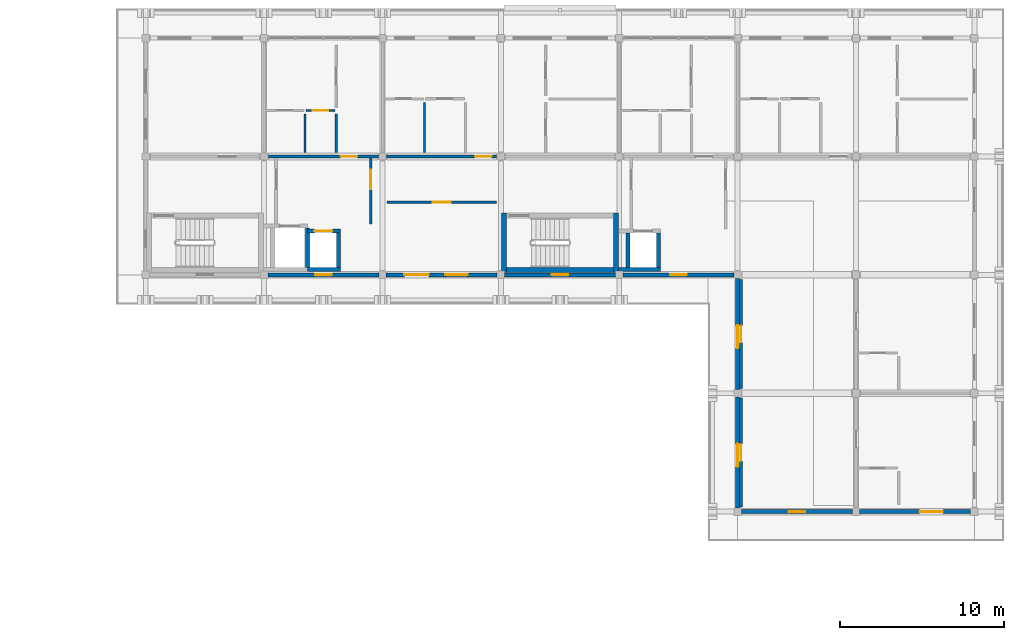
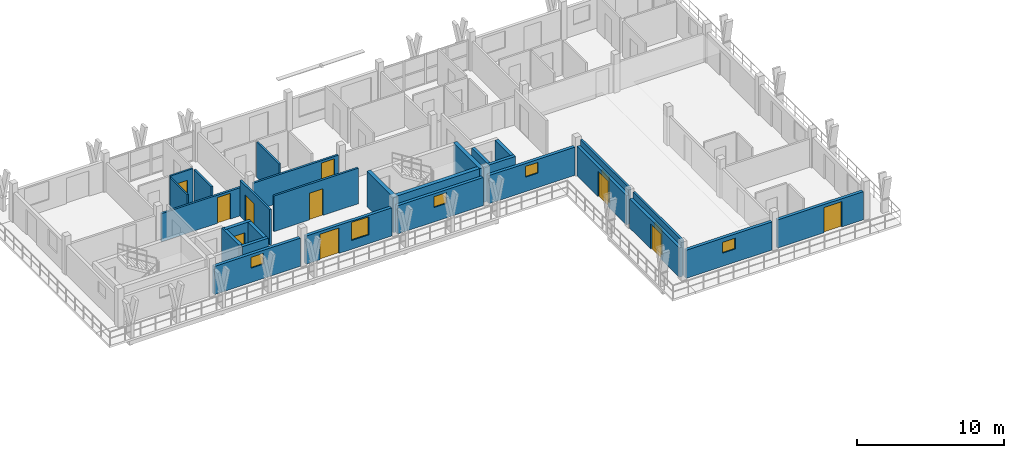
# One storey, part 40 of 56: 28 walls, 12 doors, 5 windows, 17 openings.
"""IFC4 building model written with IfcOpenShell, lengths in metres."""

from ifc_helpers import new_model, si_unit, direction, frame, frame_2d, origin, place, context, subcontext, project, spatial, rectangle, extrude, material, layer, layer_set, type_object, element, fill, save


model = new_model("IFC4")

# Units and contexts
model_context = context("Model", 3, precision=1e-05, world=origin(), true_north=direction((0.0, 1.0)))
body_context = subcontext(model_context, "Body", "Model", "MODEL_VIEW")
ifc_project = project(units=[si_unit("LENGTHUNIT", "METRE"), si_unit("AREAUNIT", "SQUARE_METRE"), si_unit("VOLUMEUNIT", "CUBIC_METRE"), si_unit("PLANEANGLEUNIT", "RADIAN"), si_unit("MASSUNIT", "GRAM", prefix="KILO")], contexts=[model_context])

# Site, building, storey
site_placement = place(None, origin())
site = spatial("IfcSite", under=ifc_project, at=site_placement, CompositionType="ELEMENT")
building_placement = place(site_placement, origin())
building = spatial("IfcBuilding", under=site, at=building_placement, Name="Suanplinth Sawtooth Commons", CompositionType="ELEMENT")
storey_placement = place(building_placement, frame((0.0, 0.0, 34.800048828125)))
storey = spatial("IfcBuildingStorey", under=building, at=storey_placement, Name="L10", CompositionType="ELEMENT", Elevation=34.800048828125)

# Walls
ifc_material_1 = material(Name="Concrete C40/50", Category="concrete")
ifc_layer_1 = layer(ifc_material_1, 0.300048828125, Name="Standard RC stair and lift core wall 300mm")
ifc_layer_set_1 = layer_set([ifc_layer_1], Name="Concrete C40/50")
wall_type_1 = type_object("IfcWallType", Name="W-CR02", PredefinedType="SHEAR", material=ifc_layer_set_1)
wall_1_placement = place(storey_placement, frame((158.75, 108.300048828125, 0.0), z_axis=(0.0, 0.0, 1.0), x_axis=(1.0, 0.0, 0.0)))
element("IfcWall", 1, at=wall_1_placement, inside=storey, type_object=wall_type_1, Name="W-L10-C-B2-STS", PredefinedType="SHEAR", context=body_context, shape_type="SweptSolid", body=[
    extrude(rectangle(XDim=6.5, YDim=0.300048828125, at=frame_2d((3.25, 0.0))), origin(), (0.0, 0.0, 1.0), 2.9599609375),
])
for number, where, z_axis, x_axis, name in (
    (2, (158.60009765625, 108.14990234375, 0.0), (0.0, 0.0, 1.0), (0.0, 1.0, 0.0), "W-L10-C-B2-STW"),
    (3, (165.39990234375, 108.14990234375, 0.0), (0.0, 0.0, 1.0), (0.0, 1.0, 0.0), "W-L10-C-B2-STE"),
):
    element("IfcWall", number, at=place(storey_placement, frame(where, z_axis=z_axis, x_axis=x_axis)), inside=storey, type_object=wall_type_1, Name=name, PredefinedType="SHEAR", context=body_context, shape_type="SweptSolid", body=[
        extrude(rectangle(XDim=3.60009765625, YDim=0.300048828125, at=frame_2d((1.800048828125, 0.0))), origin(), (0.0, 0.0, 1.0), 2.9599609375),
    ])

# Wall, opening, window
ifc_material_2 = material(Name="Precast concrete C40/50", Category="concrete")
ifc_layer_2 = layer(ifc_material_2, 0.239990234375, Name="Upper insulated precast facade wall 240mm")
ifc_layer_set_2 = layer_set([ifc_layer_2], Name="Precast concrete C40/50")
wall_type_2 = type_object("IfcWallType", Name="W-EX03", PredefinedType="ELEMENTEDWALL", material=ifc_layer_set_2)
wall_2_placement = place(storey_placement, frame((144.22509765625, 108.0, 0.0), z_axis=(0.0, 0.0, 1.0), x_axis=(1.0, 0.0, 0.0)))
wall_2 = element("IfcWall", 4, at=wall_2_placement, inside=storey, type_object=wall_type_2, Name="Facade Wall W-L10-B-S-20-15", PredefinedType="ELEMENTEDWALL", context=body_context, shape_type="SweptSolid", body=[
    extrude(rectangle(XDim=6.75, YDim=0.239990234375, at=frame_2d((3.375, 0.0))), origin(), (0.0, 0.0, 1.0), 2.344970703125),
])
opening_1_placement = place(wall_2_placement, frame((2.875, 0.0, 1.199951171875)))
opening_1 = element("IfcOpeningElement", 5, at=opening_1_placement, cuts=wall_2, Name="Opening W0834", PredefinedType="OPENING", context=body_context, shape_type="SweptSolid", body=[
    extrude(rectangle(XDim=1.0, YDim=0.89990234375, at=frame_2d((0.5, 0.449951171875))), frame((0.0, 0.134765625, 0.0), z_axis=(0.0, -1.0, 0.0), x_axis=(1.0, 0.0, 0.0)), (0.0, 0.0, 1.0), 0.269775390625),
])
ifc_material_3 = material(Name="Thermally broken aluminium and low-E double glazing", Category="aluminium")
window_type_1 = type_object("IfcWindowType", Name="WN-12", PartitioningType="SINGLE_PANEL", PredefinedType="WINDOW", material=ifc_material_3)
window_1_placement = place(opening_1_placement, origin())
window_1 = element("IfcWindow", 6, at=window_1_placement, inside=storey, type_object=window_type_1, Name="Core Daylight Window L10-B-20-15", OverallHeight=0.89990234375, OverallWidth=1.0, PartitioningType="SINGLE_PANEL", PredefinedType="WINDOW", context=body_context, shape_type="SweptSolid", body=[
    extrude(rectangle(XDim=1.0, YDim=0.89990234375, at=frame_2d((0.5, 0.449951171875))), frame((0.0, 0.030029296875, 0.0), z_axis=(0.0, -1.0, 0.0), x_axis=(1.0, 0.0, 0.0)), (0.0, 0.0, 1.0), 0.06005859375),
])
fill(opening_1, window_1)

# Wall, openings, door, window
wall_3_placement = place(storey_placement, frame((151.425048828125, 108.0, 0.0), z_axis=(0.0, 0.0, 1.0), x_axis=(1.0, 0.0, 0.0)))
wall_3 = element("IfcWall", 7, at=wall_3_placement, inside=storey, type_object=wall_type_2, Name="Facade Wall W-L10-B-S-21-15", PredefinedType="ELEMENTEDWALL", context=body_context, shape_type="SweptSolid", body=[
    extrude(rectangle(XDim=6.75, YDim=0.239990234375, at=frame_2d((3.375, 0.0))), origin(), (0.0, 0.0, 1.0), 2.344970703125),
])
opening_2_placement = place(wall_3_placement, frame((1.10009765625, 0.0, 0.0)))
opening_2 = element("IfcOpeningElement", 8, at=opening_2_placement, cuts=wall_3, Name="Opening ED0752", PredefinedType="OPENING", context=body_context, shape_type="SweptSolid", body=[
    extrude(rectangle(XDim=1.5, YDim=2.1201171875, at=frame_2d((0.75, 1.06005859375))), frame((0.0, 0.134765625, 0.0), z_axis=(0.0, -1.0, 0.0), x_axis=(1.0, 0.0, 0.0)), (0.0, 0.0, 1.0), 0.269775390625),
])
opening_3_placement = place(wall_3_placement, frame((3.60009765625, 0.0, 0.735107421875)))
opening_3 = element("IfcOpeningElement", 9, at=opening_3_placement, cuts=wall_3, Name="Opening W0835", PredefinedType="OPENING", context=body_context, shape_type="SweptSolid", body=[
    extrude(rectangle(XDim=1.35009765625, YDim=1.5, at=frame_2d((0.675048828125, 0.75))), frame((0.0, 0.134765625, 0.0), z_axis=(0.0, -1.0, 0.0), x_axis=(1.0, 0.0, 0.0)), (0.0, 0.0, 1.0), 0.269775390625),
])
ifc_material_4 = material(Name="Anodized aluminium and low-E glass", Category="aluminium")
door_type_1 = type_object("IfcDoorType", Name="SD-03", OperationType="SLIDING_TO_LEFT", PredefinedType="DOOR", material=ifc_material_4)
door_1_placement = place(opening_2_placement, frame((1.5, 0.0, 0.0), z_axis=(0.0, 0.0, 1.0), x_axis=(-1.0, 0.0, 0.0)))
door_1 = element("IfcDoor", 10, at=door_1_placement, inside=storey, type_object=door_type_1, Name="Courtyard Balcony Door L10-B-21", OperationType="SLIDING_TO_LEFT", OverallHeight=2.1201171875, OverallWidth=1.5, PredefinedType="DOOR", context=body_context, shape_type="SweptSolid", body=[
    extrude(rectangle(XDim=1.5, YDim=2.1201171875, at=frame_2d((0.75, 1.06005859375))), frame((0.0, 0.02490234375, 0.0), z_axis=(0.0, -1.0, 0.0), x_axis=(1.0, 0.0, 0.0)), (0.0, 0.0, 1.0), 0.050048828125),
])
fill(opening_2, door_1)
window_type_2 = type_object("IfcWindowType", Name="WN-14", PartitioningType="SINGLE_PANEL", PredefinedType="WINDOW", material=ifc_material_3)
window_2_placement = place(opening_3_placement, origin())
window_2 = element("IfcWindow", 11, at=window_2_placement, inside=storey, type_object=window_type_2, Name="Courtyard Window L10-B-21", OverallHeight=1.5, OverallWidth=1.35009765625, PartitioningType="SINGLE_PANEL", PredefinedType="WINDOW", context=body_context, shape_type="SweptSolid", body=[
    extrude(rectangle(XDim=1.35009765625, YDim=1.5, at=frame_2d((0.675048828125, 0.75))), frame((0.0, 0.030029296875, 0.0), z_axis=(0.0, -1.0, 0.0), x_axis=(1.0, 0.0, 0.0)), (0.0, 0.0, 1.0), 0.06005859375),
])
fill(opening_3, window_2)

# Wall, opening, window
wall_4_placement = place(storey_placement, frame((158.625, 108.0, 0.0), z_axis=(0.0, 0.0, 1.0), x_axis=(1.0, 0.0, 0.0)))
wall_4 = element("IfcWall", 12, at=wall_4_placement, inside=storey, type_object=wall_type_2, Name="Facade Wall W-L10-B-S-22-15", PredefinedType="ELEMENTEDWALL", context=body_context, shape_type="SweptSolid", body=[
    extrude(rectangle(XDim=6.75, YDim=0.239990234375, at=frame_2d((3.375, 0.0))), origin(), (0.0, 0.0, 1.0), 2.344970703125),
])
opening_4_placement = place(wall_4_placement, frame((2.875, 0.0, 1.199951171875)))
opening_4 = element("IfcOpeningElement", 13, at=opening_4_placement, cuts=wall_4, Name="Opening W0837", PredefinedType="OPENING", context=body_context, shape_type="SweptSolid", body=[
    extrude(rectangle(XDim=1.0, YDim=0.89990234375, at=frame_2d((0.5, 0.449951171875))), frame((0.0, 0.134765625, 0.0), z_axis=(0.0, -1.0, 0.0), x_axis=(1.0, 0.0, 0.0)), (0.0, 0.0, 1.0), 0.269775390625),
])
window_3_placement = place(opening_4_placement, origin())
window_3 = element("IfcWindow", 14, at=window_3_placement, inside=storey, type_object=window_type_1, Name="Core Daylight Window L10-B-22-15", OverallHeight=0.89990234375, OverallWidth=1.0, PartitioningType="SINGLE_PANEL", PredefinedType="WINDOW", context=body_context, shape_type="SweptSolid", body=[
    extrude(rectangle(XDim=1.0, YDim=0.89990234375, at=frame_2d((0.5, 0.449951171875))), frame((0.0, 0.030029296875, 0.0), z_axis=(0.0, -1.0, 0.0), x_axis=(1.0, 0.0, 0.0)), (0.0, 0.0, 1.0), 0.06005859375),
])
fill(opening_4, window_3)

wall_5_placement = place(storey_placement, frame((165.824951171875, 108.0, 0.0), z_axis=(0.0, 0.0, 1.0), x_axis=(1.0, 0.0, 0.0)))
wall_5 = element("IfcWall", 15, at=wall_5_placement, inside=storey, type_object=wall_type_2, Name="Facade Wall W-L10-B-S-23-15", PredefinedType="ELEMENTEDWALL", context=body_context, shape_type="SweptSolid", body=[
    extrude(rectangle(XDim=6.75, YDim=0.239990234375, at=frame_2d((3.375, 0.0))), origin(), (0.0, 0.0, 1.0), 2.344970703125),
])
opening_5_placement = place(wall_5_placement, frame((2.875, 0.0, 1.199951171875)))
opening_5 = element("IfcOpeningElement", 16, at=opening_5_placement, cuts=wall_5, Name="Opening W0839", PredefinedType="OPENING", context=body_context, shape_type="SweptSolid", body=[
    extrude(rectangle(XDim=1.0, YDim=0.89990234375, at=frame_2d((0.5, 0.449951171875))), frame((0.0, 0.134765625, 0.0), z_axis=(0.0, -1.0, 0.0), x_axis=(1.0, 0.0, 0.0)), (0.0, 0.0, 1.0), 0.269775390625),
])
window_4_placement = place(opening_5_placement, origin())
window_4 = element("IfcWindow", 17, at=window_4_placement, inside=storey, type_object=window_type_1, Name="Core Daylight Window L10-B-23-15", OverallHeight=0.89990234375, OverallWidth=1.0, PartitioningType="SINGLE_PANEL", PredefinedType="WINDOW", context=body_context, shape_type="SweptSolid", body=[
    extrude(rectangle(XDim=1.0, YDim=0.89990234375, at=frame_2d((0.5, 0.449951171875))), frame((0.0, 0.030029296875, 0.0), z_axis=(0.0, -1.0, 0.0), x_axis=(1.0, 0.0, 0.0)), (0.0, 0.0, 1.0), 0.06005859375),
])
fill(opening_5, window_4)

wall_6_placement = place(storey_placement, frame((173.02490234375, 93.60009765625, 0.0), z_axis=(0.0, 0.0, 1.0), x_axis=(1.0, 0.0, 0.0)))
wall_6 = element("IfcWall", 18, at=wall_6_placement, inside=storey, type_object=wall_type_2, Name="Facade Wall W-L10-B-S-24-13", PredefinedType="ELEMENTEDWALL", context=body_context, shape_type="SweptSolid", body=[
    extrude(rectangle(XDim=6.75, YDim=0.239990234375, at=frame_2d((3.375, 0.0))), origin(), (0.0, 0.0, 1.0), 2.344970703125),
])
opening_6_placement = place(wall_6_placement, frame((2.875, 0.0, 1.10009765625)))
opening_6 = element("IfcOpeningElement", 19, at=opening_6_placement, cuts=wall_6, Name="Opening W0840", PredefinedType="OPENING", context=body_context, shape_type="SweptSolid", body=[
    extrude(rectangle(XDim=1.0, YDim=0.89990234375, at=frame_2d((0.5, 0.449951171875))), frame((0.0, 0.134765625, 0.0), z_axis=(0.0, -1.0, 0.0), x_axis=(1.0, 0.0, 0.0)), (0.0, 0.0, 1.0), 0.269775390625),
])
window_5_placement = place(opening_6_placement, origin())
window_5 = element("IfcWindow", 20, at=window_5_placement, inside=storey, type_object=window_type_1, Name="End Window L10-B-S-24-13", OverallHeight=0.89990234375, OverallWidth=1.0, PartitioningType="SINGLE_PANEL", PredefinedType="WINDOW", context=body_context, shape_type="SweptSolid", body=[
    extrude(rectangle(XDim=1.0, YDim=0.89990234375, at=frame_2d((0.5, 0.449951171875))), frame((0.0, 0.030029296875, 0.0), z_axis=(0.0, -1.0, 0.0), x_axis=(1.0, 0.0, 0.0)), (0.0, 0.0, 1.0), 0.06005859375),
])
fill(opening_6, window_5)

# Wall, opening, door
wall_7_placement = place(storey_placement, frame((172.800048828125, 93.824951171875, 0.0), z_axis=(0.0, 0.0, 1.0), x_axis=(0.0, 1.0, 0.0)))
wall_7 = element("IfcWall", 21, at=wall_7_placement, inside=storey, type_object=wall_type_2, Name="Facade Wall W-L10-B-W-24-13", PredefinedType="ELEMENTEDWALL", context=body_context, shape_type="SweptSolid", body=[
    extrude(rectangle(XDim=6.75, YDim=0.239990234375, at=frame_2d((3.375, 0.0))), origin(), (0.0, 0.0, 1.0), 2.445068359375),
])
opening_7_placement = place(wall_7_placement, frame((2.5, 0.0, 0.0)))
opening_7 = element("IfcOpeningElement", 22, at=opening_7_placement, cuts=wall_7, Name="Opening ED0755", PredefinedType="OPENING", context=body_context, shape_type="SweptSolid", body=[
    extrude(rectangle(XDim=1.39990234375, YDim=2.10009765625, at=frame_2d((0.699951171875, 1.050048828125))), frame((0.0, 0.134765625, 0.0), z_axis=(0.0, -1.0, 0.0), x_axis=(1.0, 0.0, 0.0)), (0.0, 0.0, 1.0), 0.269775390625),
])
door_type_2 = type_object("IfcDoorType", Name="SD-07", OperationType="SLIDING_TO_RIGHT", PredefinedType="DOOR", material=ifc_material_4)
door_2_placement = place(opening_7_placement, frame((1.39990234375, 0.0, 0.0), z_axis=(0.0, 0.0, 1.0), x_axis=(-1.0, 0.0, 0.0)))
door_2 = element("IfcDoor", 23, at=door_2_placement, inside=storey, type_object=door_type_2, Name="Courtyard Veranda Studio Balcony Door L10-B-13", OperationType="SLIDING_TO_RIGHT", OverallHeight=2.10009765625, OverallWidth=1.39990234375, PredefinedType="DOOR", context=body_context, shape_type="SweptSolid", body=[
    extrude(rectangle(XDim=1.39990234375, YDim=2.10009765625, at=frame_2d((0.699951171875, 1.050048828125))), frame((0.0, 0.02490234375, 0.0), z_axis=(0.0, -1.0, 0.0), x_axis=(1.0, 0.0, 0.0)), (0.0, 0.0, 1.0), 0.050048828125),
])
fill(opening_7, door_2)

wall_8_placement = place(storey_placement, frame((172.800048828125, 101.02490234375, 0.0), z_axis=(0.0, 0.0, 1.0), x_axis=(0.0, 1.0, 0.0)))
wall_8 = element("IfcWall", 24, at=wall_8_placement, inside=storey, type_object=wall_type_2, Name="Facade Wall W-L10-B-W-24-14", PredefinedType="ELEMENTEDWALL", context=body_context, shape_type="SweptSolid", body=[
    extrude(rectangle(XDim=6.75, YDim=0.239990234375, at=frame_2d((3.375, 0.0))), origin(), (0.0, 0.0, 1.0), 2.445068359375),
])
opening_8_placement = place(wall_8_placement, frame((2.5, 0.0, 0.0)))
opening_8 = element("IfcOpeningElement", 25, at=opening_8_placement, cuts=wall_8, Name="Opening ED0756", PredefinedType="OPENING", context=body_context, shape_type="SweptSolid", body=[
    extrude(rectangle(XDim=1.39990234375, YDim=2.10009765625, at=frame_2d((0.699951171875, 1.050048828125))), frame((0.0, 0.134765625, 0.0), z_axis=(0.0, -1.0, 0.0), x_axis=(1.0, 0.0, 0.0)), (0.0, 0.0, 1.0), 0.269775390625),
])
door_3_placement = place(opening_8_placement, frame((1.39990234375, 0.0, 0.0), z_axis=(0.0, 0.0, 1.0), x_axis=(-1.0, 0.0, 0.0)))
door_3 = element("IfcDoor", 26, at=door_3_placement, inside=storey, type_object=door_type_2, Name="Courtyard Veranda Studio Balcony Door L10-B-14", OperationType="SLIDING_TO_RIGHT", OverallHeight=2.10009765625, OverallWidth=1.39990234375, PredefinedType="DOOR", context=body_context, shape_type="SweptSolid", body=[
    extrude(rectangle(XDim=1.39990234375, YDim=2.10009765625, at=frame_2d((0.699951171875, 1.050048828125))), frame((0.0, 0.02490234375, 0.0), z_axis=(0.0, -1.0, 0.0), x_axis=(1.0, 0.0, 0.0)), (0.0, 0.0, 1.0), 0.050048828125),
])
fill(opening_8, door_3)

wall_9_placement = place(storey_placement, frame((180.22509765625, 93.60009765625, 0.0), z_axis=(0.0, 0.0, 1.0), x_axis=(1.0, 0.0, 0.0)))
wall_9 = element("IfcWall", 27, at=wall_9_placement, inside=storey, type_object=wall_type_2, Name="Facade Wall W-L10-B-S-25-13", PredefinedType="ELEMENTEDWALL", context=body_context, shape_type="SweptSolid", body=[
    extrude(rectangle(XDim=6.75, YDim=0.239990234375, at=frame_2d((3.375, 0.0))), origin(), (0.0, 0.0, 1.0), 2.344970703125),
])
opening_9_placement = place(wall_9_placement, frame((3.64990234375, 0.0, 0.0)))
opening_9 = element("IfcOpeningElement", 28, at=opening_9_placement, cuts=wall_9, Name="Opening ED0758", PredefinedType="OPENING", context=body_context, shape_type="SweptSolid", body=[
    extrude(rectangle(XDim=1.39990234375, YDim=2.10009765625, at=frame_2d((0.699951171875, 1.050048828125))), frame((0.0, 0.134765625, 0.0), z_axis=(0.0, -1.0, 0.0), x_axis=(1.0, 0.0, 0.0)), (0.0, 0.0, 1.0), 0.269775390625),
])
door_4_placement = place(opening_9_placement, frame((1.39990234375, 0.0, 0.0), z_axis=(0.0, 0.0, 1.0), x_axis=(-1.0, 0.0, 0.0)))
door_4 = element("IfcDoor", 29, at=door_4_placement, inside=storey, type_object=door_type_2, Name="End Balcony Sliding Door L10-B-S-25-13", OperationType="SLIDING_TO_RIGHT", OverallHeight=2.10009765625, OverallWidth=1.39990234375, PredefinedType="DOOR", context=body_context, shape_type="SweptSolid", body=[
    extrude(rectangle(XDim=1.39990234375, YDim=2.10009765625, at=frame_2d((0.699951171875, 1.050048828125))), frame((0.0, 0.02490234375, 0.0), z_axis=(0.0, -1.0, 0.0), x_axis=(1.0, 0.0, 0.0)), (0.0, 0.0, 1.0), 0.050048828125),
])
fill(opening_9, door_4)

ifc_layer_3 = layer(ifc_material_2, 0.159912109375, Name="Fire-rated corridor and lobby wall 160mm")
ifc_layer_set_3 = layer_set([ifc_layer_3], Name="Precast concrete C40/50")
wall_type_3 = type_object("IfcWallType", Name="W-FW01", PredefinedType="PARTITIONING", material=ifc_layer_set_3)
wall_10_placement = place(storey_placement, frame((150.47998046875, 111.10009765625, 0.0), z_axis=(0.0, 0.0, 1.0), x_axis=(0.0, 1.0, 0.0)))
wall_10 = element("IfcWall", 30, at=wall_10_placement, inside=storey, type_object=wall_type_3, Name="W-L10-C-B1-LOB-E", PredefinedType="PARTITIONING", context=body_context, shape_type="SweptSolid", body=[
    extrude(rectangle(XDim=4.02001953125, YDim=0.159912109375, at=frame_2d((2.010009765625, 0.0))), origin(), (0.0, 0.0, 1.0), 2.9599609375),
])
opening_10_placement = place(wall_10_placement, frame((2.10009765625, 0.0, 0.0)))
opening_10 = element("IfcOpeningElement", 31, at=opening_10_placement, cuts=wall_10, Name="Opening FD0211", PredefinedType="OPENING", context=body_context, shape_type="SweptSolid", body=[
    extrude(rectangle(XDim=1.199951171875, YDim=2.199951171875, at=frame_2d((0.60009765625, 1.10009765625))), frame((0.0, 0.0947265625, 0.0), z_axis=(0.0, -1.0, 0.0), x_axis=(1.0, 0.0, 0.0)), (0.0, 0.0, 1.0), 0.189697265625),
])
ifc_material_5 = material(Name="Teak hardwood fire-rated door assembly", Category="wood")
door_type_3 = type_object("IfcDoorType", Name="FD-02", OperationType="NOTDEFINED", PredefinedType="DOOR", material=ifc_material_5)
door_5_placement = place(opening_10_placement, frame((1.199951171875, 0.0, 0.0), z_axis=(0.0, 0.0, 1.0), x_axis=(-1.0, 0.0, 0.0)))
door_5 = element("IfcDoor", 32, at=door_5_placement, inside=storey, type_object=door_type_3, Name="Lobby Fire Door FD0211", OperationType="SINGLE_SWING_LEFT", OverallHeight=2.199951171875, OverallWidth=1.199951171875, PredefinedType="DOOR", context=body_context, shape_type="SweptSolid", body=[
    extrude(rectangle(XDim=1.199951171875, YDim=2.199951171875, at=frame_2d((0.60009765625, 1.10009765625))), frame((0.0, 0.02490234375, 0.0), z_axis=(0.0, -1.0, 0.0), x_axis=(1.0, 0.0, 0.0)), (0.0, 0.0, 1.0), 0.050048828125),
])
fill(opening_10, door_5)

wall_11_placement = place(storey_placement, frame((144.2548828125, 115.199951171875, 0.0), z_axis=(0.0, 0.0, 1.0), x_axis=(1.0, 0.0, 0.0)))
wall_11 = element("IfcWall", 33, at=wall_11_placement, inside=storey, type_object=wall_type_3, Name="W-B-L10-U02-COR", PredefinedType="PARTITIONING", context=body_context, shape_type="SweptSolid", body=[
    extrude(rectangle(XDim=6.690185546875, YDim=0.159912109375, at=frame_2d((3.34521484375, 0.0))), origin(), (0.0, 0.0, 1.0), 2.344970703125),
])
opening_11_placement = place(wall_11_placement, frame((4.39501953125, 0.0, 0.0)))
opening_11 = element("IfcOpeningElement", 34, at=opening_11_placement, cuts=wall_11, Name="Opening FD1879", PredefinedType="OPENING", context=body_context, shape_type="SweptSolid", body=[
    extrude(rectangle(XDim=1.0, YDim=2.14990234375, at=frame_2d((0.5, 1.074951171875))), frame((0.0, 0.0947265625, 0.0), z_axis=(0.0, -1.0, 0.0), x_axis=(1.0, 0.0, 0.0)), (0.0, 0.0, 1.0), 0.189697265625),
])
door_type_4 = type_object("IfcDoorType", Name="FD-03", OperationType="NOTDEFINED", PredefinedType="DOOR", material=ifc_material_5)
door_6_placement = place(opening_11_placement, origin())
door_6 = element("IfcDoor", 35, at=door_6_placement, inside=storey, type_object=door_type_4, Name="Unit Entrance Door FD1879", OperationType="SINGLE_SWING_LEFT", OverallHeight=2.14990234375, OverallWidth=1.0, PredefinedType="DOOR", context=body_context, shape_type="SweptSolid", body=[
    extrude(rectangle(XDim=1.0, YDim=2.14990234375, at=frame_2d((0.5, 1.074951171875))), frame((0.0, 0.02490234375, 0.0), z_axis=(0.0, -1.0, 0.0), x_axis=(1.0, 0.0, 0.0)), (0.0, 0.0, 1.0), 0.050048828125),
])
fill(opening_11, door_6)

wall_12_placement = place(storey_placement, frame((151.455078125, 115.199951171875, 0.0), z_axis=(0.0, 0.0, 1.0), x_axis=(1.0, 0.0, 0.0)))
wall_12 = element("IfcWall", 36, at=wall_12_placement, inside=storey, type_object=wall_type_3, Name="W-B-L10-U03-COR-S1", PredefinedType="PARTITIONING", context=body_context, shape_type="SweptSolid", body=[
    extrude(rectangle(XDim=6.68994140625, YDim=0.159912109375, at=frame_2d((3.344970703125, 0.0))), origin(), (0.0, 0.0, 1.0), 2.344970703125),
])
opening_12_placement = place(wall_12_placement, frame((5.375, 0.0, 0.0)))
opening_12 = element("IfcOpeningElement", 37, at=opening_12_placement, cuts=wall_12, Name="Opening FD1883", PredefinedType="OPENING", context=body_context, shape_type="SweptSolid", body=[
    extrude(rectangle(XDim=1.0, YDim=2.14990234375, at=frame_2d((0.5, 1.074951171875))), frame((0.0, 0.0947265625, 0.0), z_axis=(0.0, -1.0, 0.0), x_axis=(1.0, 0.0, 0.0)), (0.0, 0.0, 1.0), 0.189697265625),
])
door_7_placement = place(opening_12_placement, origin())
door_7 = element("IfcDoor", 38, at=door_7_placement, inside=storey, type_object=door_type_4, Name="Unit Entrance Door FD1883", OperationType="SINGLE_SWING_LEFT", OverallHeight=2.14990234375, OverallWidth=1.0, PredefinedType="DOOR", context=body_context, shape_type="SweptSolid", body=[
    extrude(rectangle(XDim=1.0, YDim=2.14990234375, at=frame_2d((0.5, 1.074951171875))), frame((0.0, 0.02490234375, 0.0), z_axis=(0.0, -1.0, 0.0), x_axis=(1.0, 0.0, 0.0)), (0.0, 0.0, 1.0), 0.050048828125),
])
fill(opening_12, door_7)

wall_13_placement = place(storey_placement, frame((151.47998046875, 112.419921875, 0.0), z_axis=(0.0, 0.0, 1.0), x_axis=(1.0, 0.0, 0.0)))
wall_13 = element("IfcWall", 39, at=wall_13_placement, inside=storey, type_object=wall_type_3, Name="W-B-L10-COURTROOM-19-COR", PredefinedType="PARTITIONING", context=body_context, shape_type="SweptSolid", body=[
    extrude(rectangle(XDim=6.64013671875, YDim=0.159912109375, at=frame_2d((3.320068359375, 0.0))), origin(), (0.0, 0.0, 1.0), 2.9599609375),
])
opening_13_placement = place(wall_13_placement, frame((2.780029296875, 0.0, 0.0)))
opening_13 = element("IfcOpeningElement", 40, at=opening_13_placement, cuts=wall_13, Name="Opening D1897", PredefinedType="OPENING", context=body_context, shape_type="SweptSolid", body=[
    extrude(rectangle(XDim=1.080078125, YDim=2.219970703125, at=frame_2d((0.5400390625, 1.10986328125))), frame((0.0, 0.0947265625, 0.0), z_axis=(0.0, -1.0, 0.0), x_axis=(1.0, 0.0, 0.0)), (0.0, 0.0, 1.0), 0.189697265625),
])
ifc_material_6 = material(Name="Teak hardwood", Category="wood")
door_type_5 = type_object("IfcDoorType", Name="D-17", OperationType="NOTDEFINED", PredefinedType="DOOR", material=ifc_material_6)
door_8_placement = place(opening_13_placement, frame((1.080078125, 0.0, 0.0), z_axis=(0.0, 0.0, 1.0), x_axis=(-1.0, 0.0, 0.0)))
door_8 = element("IfcDoor", 41, at=door_8_placement, inside=storey, type_object=door_type_5, Name="Study Studio Door D1897", OperationType="SINGLE_SWING_LEFT", OverallHeight=2.219970703125, OverallWidth=1.080078125, PredefinedType="DOOR", context=body_context, shape_type="SweptSolid", body=[
    extrude(rectangle(XDim=1.080078125, YDim=2.219970703125, at=frame_2d((0.5400390625, 1.10986328125))), frame((0.0, 0.02490234375, 0.0), z_axis=(0.0, -1.0, 0.0), x_axis=(1.0, 0.0, 0.0)), (0.0, 0.0, 1.0), 0.050048828125),
])
fill(opening_13, door_8)

wall_14_placement = place(storey_placement, frame((173.0, 93.8798828125, 0.0), z_axis=(0.0, 0.0, 1.0), x_axis=(0.0, 1.0, 0.0)))
wall_14 = element("IfcWall", 42, at=wall_14_placement, inside=storey, type_object=wall_type_3, Name="W-B-L10-LEGCOURTROOM-21-COR", PredefinedType="PARTITIONING", context=body_context, shape_type="SweptSolid", body=[
    extrude(rectangle(XDim=6.64013671875, YDim=0.159912109375, at=frame_2d((3.320068359375, 0.0))), origin(), (0.0, 0.0, 1.0), 2.9599609375),
])
opening_14_placement = place(wall_14_placement, frame((2.81005859375, 0.0, 0.0)))
opening_14 = element("IfcOpeningElement", 43, at=opening_14_placement, cuts=wall_14, Name="Opening D1900", PredefinedType="OPENING", context=body_context, shape_type="SweptSolid", body=[
    extrude(rectangle(XDim=1.02001953125, YDim=2.179931640625, at=frame_2d((0.510009765625, 1.08984375))), frame((0.0, 0.0947265625, 0.0), z_axis=(0.0, -1.0, 0.0), x_axis=(1.0, 0.0, 0.0)), (0.0, 0.0, 1.0), 0.189697265625),
])
door_type_6 = type_object("IfcDoorType", Name="D-16", OperationType="NOTDEFINED", PredefinedType="DOOR", material=ifc_material_6)
door_9_placement = place(opening_14_placement, origin())
door_9 = element("IfcDoor", 44, at=door_9_placement, inside=storey, type_object=door_type_6, Name="Veranda Studio Door D1900", OperationType="SINGLE_SWING_RIGHT", OverallHeight=2.179931640625, OverallWidth=1.02001953125, PredefinedType="DOOR", context=body_context, shape_type="SweptSolid", body=[
    extrude(rectangle(XDim=1.02001953125, YDim=2.179931640625, at=frame_2d((0.510009765625, 1.08984375))), frame((0.0, 0.02490234375, 0.0), z_axis=(0.0, -1.0, 0.0), x_axis=(1.0, 0.0, 0.0)), (0.0, 0.0, 1.0), 0.050048828125),
])
fill(opening_14, door_9)

wall_15_placement = place(storey_placement, frame((173.0, 101.080078125, 0.0), z_axis=(0.0, 0.0, 1.0), x_axis=(0.0, 1.0, 0.0)))
wall_15 = element("IfcWall", 45, at=wall_15_placement, inside=storey, type_object=wall_type_3, Name="W-B-L10-LEGCOURTROOM-23-COR", PredefinedType="PARTITIONING", context=body_context, shape_type="SweptSolid", body=[
    extrude(rectangle(XDim=6.639892578125, YDim=0.159912109375, at=frame_2d((3.31982421875, 0.0))), origin(), (0.0, 0.0, 1.0), 2.9599609375),
])
opening_15_placement = place(wall_15_placement, frame((2.81005859375, 0.0, 0.0)))
opening_15 = element("IfcOpeningElement", 46, at=opening_15_placement, cuts=wall_15, Name="Opening D1903", PredefinedType="OPENING", context=body_context, shape_type="SweptSolid", body=[
    extrude(rectangle(XDim=1.02001953125, YDim=2.179931640625, at=frame_2d((0.510009765625, 1.08984375))), frame((0.0, 0.0947265625, 0.0), z_axis=(0.0, -1.0, 0.0), x_axis=(1.0, 0.0, 0.0)), (0.0, 0.0, 1.0), 0.189697265625),
])
door_10_placement = place(opening_15_placement, origin())
door_10 = element("IfcDoor", 47, at=door_10_placement, inside=storey, type_object=door_type_6, Name="Veranda Studio Door D1903", OperationType="SINGLE_SWING_LEFT", OverallHeight=2.179931640625, OverallWidth=1.02001953125, PredefinedType="DOOR", context=body_context, shape_type="SweptSolid", body=[
    extrude(rectangle(XDim=1.02001953125, YDim=2.179931640625, at=frame_2d((0.510009765625, 1.08984375))), frame((0.0, 0.02490234375, 0.0), z_axis=(0.0, -1.0, 0.0), x_axis=(1.0, 0.0, 0.0)), (0.0, 0.0, 1.0), 0.050048828125),
])
fill(opening_15, door_10)

ifc_material_7 = material(Name="Gypsum plasterboard on steel stud", Category="steel")
ifc_layer_4 = layer(ifc_material_7, 0.139892578125, Name="Fire-rated kitchen partition 140mm")
ifc_layer_set_4 = layer_set([ifc_layer_4], Name="Gypsum plasterboard on steel stud")
wall_type_4 = type_object("IfcWallType", Name="W-PT01", PredefinedType="PARTITIONING", material=ifc_layer_set_4)
wall_16_placement = place(storey_placement, frame((146.550048828125, 118.0, 0.0), z_axis=(0.0, 0.0, 1.0), x_axis=(1.0, 0.0, 0.0)))
wall_16 = element("IfcWall", 48, at=wall_16_placement, inside=storey, type_object=wall_type_4, Name="W-B-L10-U02-KIT1", PredefinedType="PARTITIONING", context=body_context, shape_type="SweptSolid", body=[
    extrude(rectangle(XDim=1.77001953125, YDim=0.139892578125, at=frame_2d((0.885009765625, 0.0))), origin(), (0.0, 0.0, 1.0), 2.9599609375),
])
opening_16_placement = place(wall_16_placement, frame((0.419921875, 0.0, 0.0)))
opening_16 = element("IfcOpeningElement", 49, at=opening_16_placement, cuts=wall_16, Name="Opening D1881", PredefinedType="OPENING", context=body_context, shape_type="SweptSolid", body=[
    extrude(rectangle(XDim=0.929931640625, YDim=2.139892578125, at=frame_2d((0.46484375, 1.06982421875))), frame((0.0, 0.0849609375, 0.0), z_axis=(0.0, -1.0, 0.0), x_axis=(1.0, 0.0, 0.0)), (0.0, 0.0, 1.0), 0.169677734375),
])
door_type_7 = type_object("IfcDoorType", Name="D-19", OperationType="NOTDEFINED", PredefinedType="DOOR", material=ifc_material_6)
door_11_placement = place(opening_16_placement, frame((0.929931640625, 0.0, 0.0), z_axis=(0.0, 0.0, 1.0), x_axis=(-1.0, 0.0, 0.0)))
door_11 = element("IfcDoor", 50, at=door_11_placement, inside=storey, type_object=door_type_7, Name="Kitchen Door D1881", OperationType="SINGLE_SWING_LEFT", OverallHeight=2.139892578125, OverallWidth=0.929931640625, PredefinedType="DOOR", context=body_context, shape_type="SweptSolid", body=[
    extrude(rectangle(XDim=0.929931640625, YDim=2.139892578125, at=frame_2d((0.46484375, 1.06982421875))), frame((0.0, 0.02490234375, 0.0), z_axis=(0.0, -1.0, 0.0), x_axis=(1.0, 0.0, 0.0)), (0.0, 0.0, 1.0), 0.050048828125),
])
fill(opening_16, door_11)

# Walls
wall_17_placement = place(storey_placement, frame((148.389892578125, 115.429931640625, 0.0), z_axis=(0.0, 0.0, 1.0), x_axis=(0.0, 1.0, 0.0)))
element("IfcWall", 51, at=wall_17_placement, inside=storey, type_object=wall_type_4, Name="W-B-L10-U02-KIT2", PredefinedType="PARTITIONING", context=body_context, shape_type="SweptSolid", body=[
    extrude(rectangle(XDim=2.35009765625, YDim=0.139892578125, at=frame_2d((1.175048828125, 0.0))), origin(), (0.0, 0.0, 1.0), 2.9599609375),
])
ifc_layer_5 = layer(ifc_material_7, 0.1298828125, Name="Moisture-resistant bathroom partition 130mm")
ifc_layer_set_5 = layer_set([ifc_layer_5], Name="Gypsum plasterboard on steel stud")
wall_type_5 = type_object("IfcWallType", Name="W-PT02", PredefinedType="PARTITIONING", material=ifc_layer_set_5)
wall_18_placement = place(storey_placement, frame((146.4951171875, 115.4599609375, 0.0), z_axis=(0.0, 0.0, 1.0), x_axis=(0.0, 1.0, 0.0)))
element("IfcWall", 52, at=wall_18_placement, inside=storey, type_object=wall_type_5, Name="W-B-L10-U02-BTH2", PredefinedType="PARTITIONING", context=body_context, shape_type="SweptSolid", body=[
    extrude(rectangle(XDim=2.330078125, YDim=0.1298828125, at=frame_2d((1.1650390625, 0.0))), origin(), (0.0, 0.0, 1.0), 2.9599609375),
])
wall_19_placement = place(storey_placement, frame((153.7451171875, 115.4599609375, 0.0), z_axis=(0.0, 0.0, 1.0), x_axis=(0.0, 1.0, 0.0)))
element("IfcWall", 53, at=wall_19_placement, inside=storey, type_object=wall_type_5, Name="W-B-L10-U03-BTH2", PredefinedType="PARTITIONING", context=body_context, shape_type="SweptSolid", body=[
    extrude(rectangle(XDim=3.0400390625, YDim=0.1298828125, at=frame_2d((1.52001953125, 0.0))), origin(), (0.0, 0.0, 1.0), 2.9599609375),
])
ifc_layer_6 = layer(ifc_material_2, 0.25, Name="Precast structural shear wall 250mm")
ifc_layer_set_6 = layer_set([ifc_layer_6], Name="Precast concrete C40/50")
wall_type_6 = type_object("IfcWallType", Name="W-SH01", PredefinedType="SHEAR", material=ifc_layer_set_6)
wall_20_placement = place(storey_placement, frame((146.625, 108.449951171875, 0.0), z_axis=(0.0, 0.0, 1.0), x_axis=(0.0, 1.0, 0.0)))
element("IfcWall", 54, at=wall_20_placement, inside=storey, type_object=wall_type_6, Name="W-L10-FL2-DIV", PredefinedType="SHEAR", context=body_context, shape_type="SweptSolid", body=[
    extrude(rectangle(XDim=2.400146484375, YDim=0.25, at=frame_2d((1.2001953125, 0.0))), origin(), (0.0, 0.0, 1.0), 2.9599609375),
])
wall_21_placement = place(storey_placement, frame((146.625, 108.324951171875, 0.0), z_axis=(0.0, 0.0, 1.0), x_axis=(1.0, 0.0, 0.0)))
element("IfcWall", 55, at=wall_21_placement, inside=storey, type_object=wall_type_6, Name="W-L10-LF3-S", PredefinedType="SHEAR", context=body_context, shape_type="SweptSolid", body=[
    extrude(rectangle(XDim=2.02490234375, YDim=0.25, at=frame_2d((1.012451171875, 0.0))), origin(), (0.0, 0.0, 1.0), 2.9599609375),
])

# Wall, opening, door
wall_22_placement = place(storey_placement, frame((146.625, 110.675048828125, 0.0), z_axis=(0.0, 0.0, 1.0), x_axis=(1.0, 0.0, 0.0)))
wall_22 = element("IfcWall", 56, at=wall_22_placement, inside=storey, type_object=wall_type_6, Name="W-L10-LF3-N", PredefinedType="SHEAR", context=body_context, shape_type="SweptSolid", body=[
    extrude(rectangle(XDim=2.02490234375, YDim=0.25, at=frame_2d((1.012451171875, 0.0))), origin(), (0.0, 0.0, 1.0), 2.9599609375),
])
opening_17_placement = place(wall_22_placement, frame((0.425048828125, 0.0, 0.0)))
opening_17 = element("IfcOpeningElement", 57, at=opening_17_placement, cuts=wall_22, Name="Opening LD0213", PredefinedType="OPENING", context=body_context, shape_type="SweptSolid", body=[
    extrude(rectangle(XDim=1.10009765625, YDim=2.14990234375, at=frame_2d((0.550048828125, 1.074951171875))), frame((0.0, 0.139892578125, 0.0), z_axis=(0.0, -1.0, 0.0), x_axis=(1.0, 0.0, 0.0)), (0.0, 0.0, 1.0), 0.27978515625),
])
ifc_material_8 = material(Name="Stainless steel Grade 304", Category="steel")
door_type_8 = type_object("IfcDoorType", Name="LD-01", OperationType="SLIDING_TO_LEFT", PredefinedType="DOOR", material=ifc_material_8)
door_12_placement = place(opening_17_placement, origin())
door_12 = element("IfcDoor", 58, at=door_12_placement, inside=storey, type_object=door_type_8, Name="Lift Landing Sliding Door LF3 L10", OperationType="SLIDING_TO_LEFT", OverallHeight=2.14990234375, OverallWidth=1.10009765625, PredefinedType="DOOR", context=body_context, shape_type="SweptSolid", body=[
    extrude(rectangle(XDim=1.10009765625, YDim=2.14990234375, at=frame_2d((0.550048828125, 1.074951171875))), frame((0.0, 0.02490234375, 0.0), z_axis=(0.0, -1.0, 0.0), x_axis=(1.0, 0.0, 0.0)), (0.0, 0.0, 1.0), 0.050048828125),
])
fill(opening_17, door_12)

# Walls
wall_23_placement = place(storey_placement, frame((148.52490234375, 108.449951171875, 0.0), z_axis=(0.0, 0.0, 1.0), x_axis=(0.0, 1.0, 0.0)))
element("IfcWall", 59, at=wall_23_placement, inside=storey, type_object=wall_type_6, Name="W-L10-LF3-E", PredefinedType="SHEAR", context=body_context, shape_type="SweptSolid", body=[
    extrude(rectangle(XDim=2.10009765625, YDim=0.25, at=frame_2d((1.050048828125, 0.0))), origin(), (0.0, 0.0, 1.0), 2.9599609375),
])
wall_24_placement = place(storey_placement, frame((165.550048828125, 108.324951171875, 0.0), z_axis=(0.0, 0.0, 1.0), x_axis=(1.0, 0.0, 0.0)))
element("IfcWall", 60, at=wall_24_placement, inside=storey, type_object=wall_type_6, Name="W-L10-LF4-S", PredefinedType="SHEAR", context=body_context, shape_type="SweptSolid", body=[
    extrude(rectangle(XDim=2.550048828125, YDim=0.25, at=frame_2d((1.27490234375, 0.0))), origin(), (0.0, 0.0, 1.0), 2.9599609375),
])
for number, where, z_axis, x_axis, name in (
    (61, (166.125, 108.449951171875, 0.0), (0.0, 0.0, 1.0), (0.0, 1.0, 0.0), "W-L10-LF4-W"),
    (62, (167.97509765625, 108.449951171875, 0.0), (0.0, 0.0, 1.0), (0.0, 1.0, 0.0), "W-L10-LF4-E"),
):
    element("IfcWall", number, at=place(storey_placement, frame(where, z_axis=z_axis, x_axis=x_axis)), inside=storey, type_object=wall_type_6, Name=name, PredefinedType="SHEAR", context=body_context, shape_type="SweptSolid", body=[
        extrude(rectangle(XDim=2.10009765625, YDim=0.25, at=frame_2d((1.050048828125, 0.0))), origin(), (0.0, 0.0, 1.0), 2.9599609375),
    ])

save(model, "model.ifc")
